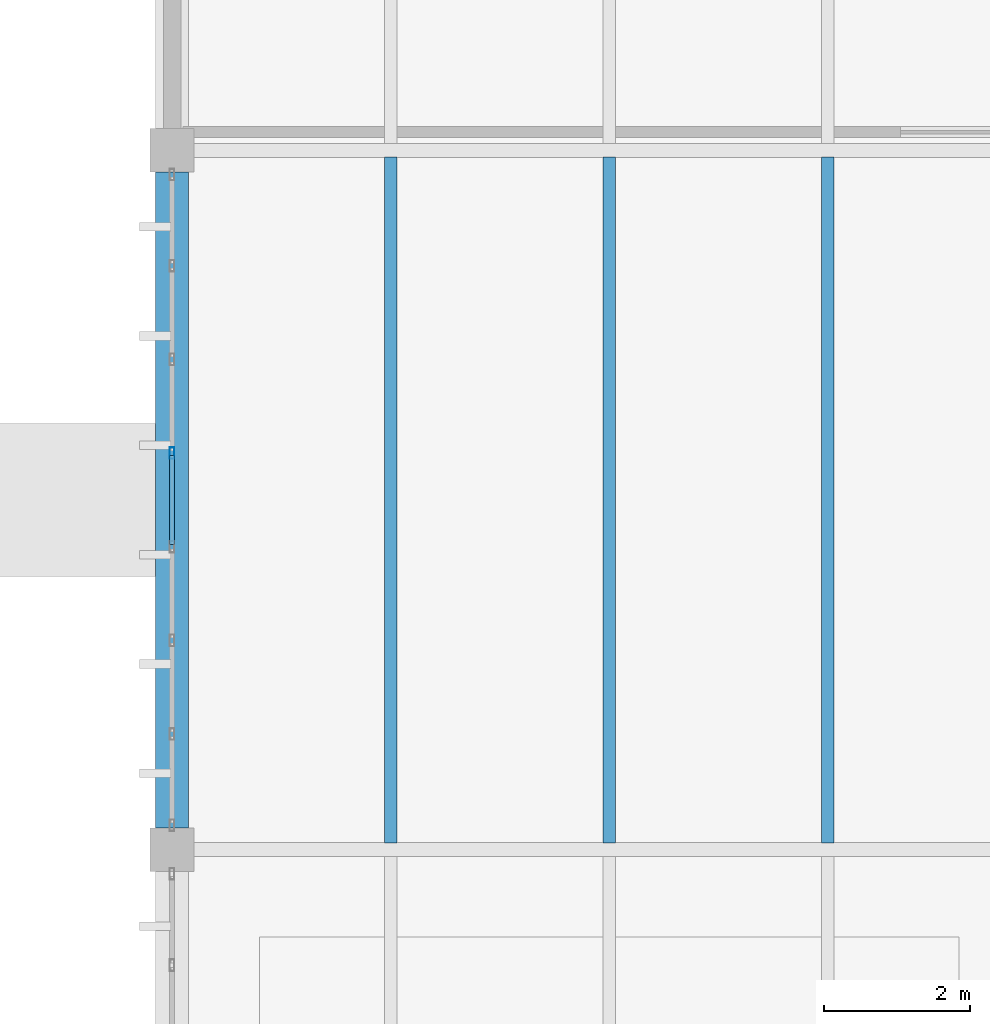
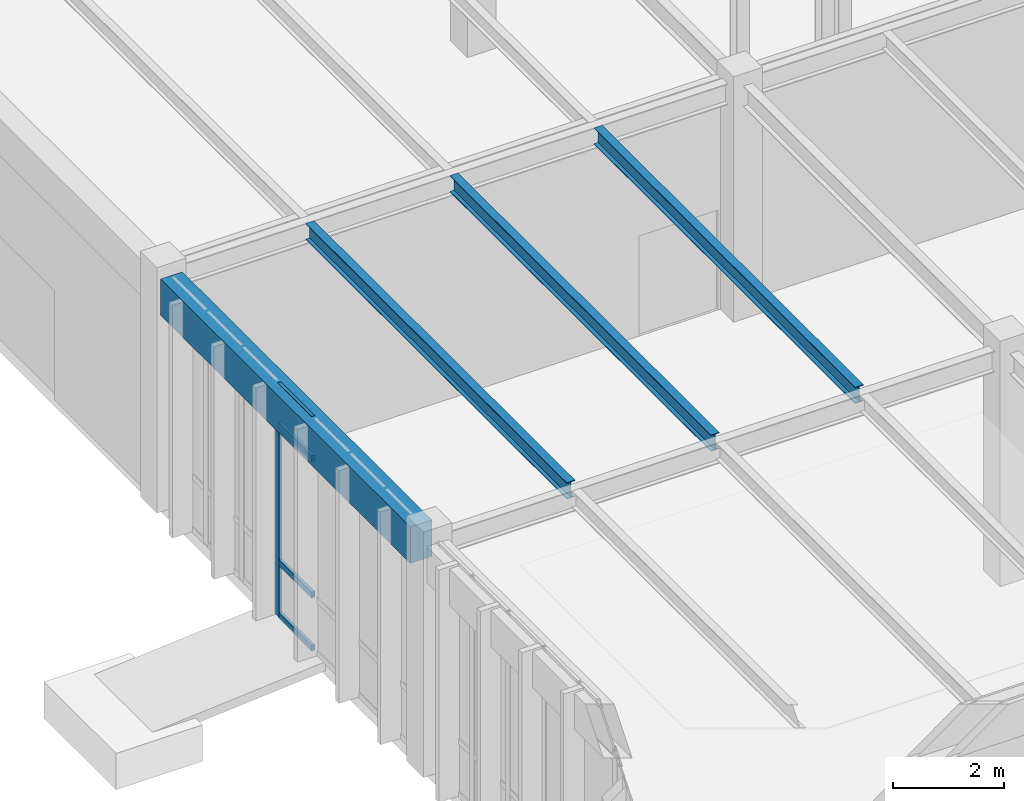
# One storey, part 88 of 188: 5 members, 4 beams, 1 element without a shape of its own.
"""IFC4 building model written with IfcOpenShell, lengths in metres."""

import ifcopenshell
import ifcopenshell.guid

model = None  # the IFC model being written
_history = None  # IfcOwnerHistory: only IFC2X3 demands one
_inside = {}  # id of a spatial element -> (the spatial element, [elements in it])
_under = {}  # id of a project, library or spatial element -> (it, [spatial elements below it])
_declared = {}  # id of a project -> (the project, [libraries it declares])
_typed = {}  # id of a type object -> (the type object, [elements of that type])
_made_of = {}  # id of a material, layer set ... -> (it, [elements and type objects made of it])


def new_model(schema):
    """Start an empty IFC model of exactly this schema.

    Asked for "IFC4X3", IfcOpenShell would pick the latest addendum, in which some entities
    have other attributes; the version numbers below select the first issue.
    IFC2X3 requires an IfcOwnerHistory on every rooted entity: one is made here for all.
    """
    global model, _history
    if schema == "IFC4X3":
        model = ifcopenshell.file(schema_version=(4, 3, 0, 0))
    else:
        model = ifcopenshell.file(schema=schema)
    _inside.clear()
    _under.clear()
    _declared.clear()
    _typed.clear()
    _made_of.clear()
    _history = None
    if model.schema == "IFC2X3":
        org = make("IfcOrganization", Name="unknown")
        user = make(
            "IfcPersonAndOrganization",
            ThePerson=make("IfcPerson", FamilyName="unknown"),
            TheOrganization=org,
        )
        app = make(
            "IfcApplication",
            ApplicationDeveloper=org,
            Version="unknown",
            ApplicationFullName="unknown",
            ApplicationIdentifier="unknown",
        )
        _history = make(
            "IfcOwnerHistory",
            OwningUser=user,
            OwningApplication=app,
            ChangeAction="ADDED",
            CreationDate=0,
        )
    return model


def make(cls, **values):
    """One entity of the class cls with the attributes given. An attribute that is None is left unset."""
    return model.create_entity(
        cls, **{name: value for name, value in values.items() if value is not None}
    )


def rooted(cls, **values):
    """An entity with a GlobalId (a new one), such as an element, a storey or a relation."""
    return make(cls, GlobalId=ifcopenshell.guid.new(), OwnerHistory=_history, **values)


def si_unit(unit_type, name, prefix=None):
    """IfcSIUnit, for example si_unit("LENGTHUNIT", "METRE", prefix="MILLI")."""
    return make("IfcSIUnit", UnitType=unit_type, Prefix=prefix, Name=name)


def assignment(units):
    """IfcUnitAssignment: the units of a project."""
    return None if units is None else make("IfcUnitAssignment", Units=units)


def point(xyz):
    """IfcCartesianPoint."""
    return None if xyz is None else make("IfcCartesianPoint", Coordinates=xyz)


def direction(xyz):
    """IfcDirection."""
    return None if xyz is None else make("IfcDirection", DirectionRatios=xyz)


def frame(location, z_axis=None, x_axis=None):
    """IfcAxis2Placement3D, a coordinate frame: its origin and axes. An axis left out is left unset."""
    return make(
        "IfcAxis2Placement3D",
        Location=point(location),
        Axis=direction(z_axis),
        RefDirection=direction(x_axis),
    )


def frame_2d(location, x_axis=None):
    """IfcAxis2Placement2D, a coordinate frame in the plane: its origin and x axis."""
    return make(
        "IfcAxis2Placement2D", Location=point(location), RefDirection=direction(x_axis)
    )


def origin():
    """The frame at (0, 0, 0) with its axes left unset."""
    return frame((0.0, 0.0, 0.0))


def origin_2d():
    """The frame at (0, 0) in the plane with its x axis left unset."""
    return frame_2d((0.0, 0.0))


def place(relative_to, where):
    """IfcLocalPlacement: puts the frame where relative to a parent placement (None: the world)."""
    return make(
        "IfcLocalPlacement", PlacementRelTo=relative_to, RelativePlacement=where
    )


def context(
    kind, dimensions, precision=None, world=None, true_north=None, identifier=None
):
    """IfcGeometricRepresentationContext, for example the 3D "Model" context."""
    return make(
        "IfcGeometricRepresentationContext",
        ContextIdentifier=identifier,
        ContextType=kind,
        CoordinateSpaceDimension=dimensions,
        Precision=precision,
        WorldCoordinateSystem=world,
        TrueNorth=true_north,
    )


def subcontext(parent, identifier, kind, view, scale=None):
    """IfcGeometricRepresentationSubContext, for example "Body" below "Model"."""
    return make(
        "IfcGeometricRepresentationSubContext",
        ContextIdentifier=identifier,
        ContextType=kind,
        ParentContext=parent,
        TargetScale=scale,
        TargetView=view,
    )


def project(units=None, contexts=None):
    """IfcProject with its units and contexts."""
    return rooted(
        "IfcProject",
        Name="project",
        RepresentationContexts=contexts,
        UnitsInContext=assignment(units),
    )


def spatial(cls, under=None, at=None, **own):
    """A site, building, storey or space (cls), placed at a placement, below another one or the project."""
    s = rooted(cls, ObjectPlacement=at, **own)
    if under is not None:
        _under.setdefault(under.id(), (under, []))[1].append(s)
    return s


def profile(cls, at=None, kind="AREA", **sizes):
    """A parametric profile (cls). Its sizes go by their IFC names, for example OverallWidth=200.0."""
    return make(cls, ProfileType=kind, Position=at, **sizes)


def rectangle(**sizes):
    """IfcRectangleProfileDef."""
    return profile("IfcRectangleProfileDef", **sizes)


def hollow_rectangle(**sizes):
    """IfcRectangleHollowProfileDef."""
    return profile("IfcRectangleHollowProfileDef", **sizes)


def i_section(**sizes):
    """IfcIShapeProfileDef."""
    return profile("IfcIShapeProfileDef", **sizes)


def extrude(swept, where, along, depth):
    """IfcExtrudedAreaSolid: the profile swept, set in the frame where, extruded along a direction by depth."""
    return make(
        "IfcExtrudedAreaSolid",
        SweptArea=swept,
        Position=where,
        ExtrudedDirection=direction(along),
        Depth=depth,
    )


def shape(context_of_items, identifier, shape_type, items):
    """IfcShapeRepresentation: the items that make up one representation, for example the "Body"."""
    return make(
        "IfcShapeRepresentation",
        ContextOfItems=context_of_items,
        RepresentationIdentifier=identifier,
        RepresentationType=shape_type,
        Items=items,
    )


def material(Name=None, Category=None):
    """IfcMaterial."""
    return make("IfcMaterial", Name=Name, Category=Category)


def layer(
    of_material, thickness, ventilated=None, Name=None, Category=None, Priority=None
):
    """IfcMaterialLayer: one layer of a wall or slab, of a material (None: an air gap)."""
    return make(
        "IfcMaterialLayer",
        Material=of_material,
        LayerThickness=thickness,
        IsVentilated=ventilated,
        Name=Name,
        Category=Category,
        Priority=Priority,
    )


def layer_set(layers, Name=None):
    """IfcMaterialLayerSet."""
    return make("IfcMaterialLayerSet", MaterialLayers=layers, LayerSetName=Name)


def material_profile(
    of_material, cross_section, Name=None, Category=None, Priority=None
):
    """IfcMaterialProfile: a cross section and its material."""
    return make(
        "IfcMaterialProfile",
        Name=Name,
        Material=of_material,
        Profile=cross_section,
        Priority=Priority,
        Category=Category,
    )


def profile_set(profiles, Name=None, composite=None):
    """IfcMaterialProfileSet."""
    return make(
        "IfcMaterialProfileSet",
        Name=Name,
        MaterialProfiles=profiles,
        CompositeProfile=composite,
    )


def made_of(thing, what):
    """Note that an element or type object is made of a material, layer set ...; save() writes the relation."""
    if what is not None:
        _made_of.setdefault(what.id(), (what, []))[1].append(thing)
    return thing


def type_object(cls, material=None, **own):
    """A type object (cls), such as IfcWallType, which elements share."""
    return made_of(rooted(cls, **own), material)


def element(
    cls,
    number,
    at=None,
    inside=None,
    cuts=None,
    type_object=None,
    material=None,
    context=None,
    identifier="Body",
    shape_type=None,
    held_by="IfcProductDefinitionShape",
    body=None,
    shapes=None,
    **own,
):
    """One element of the class cls, such as IfcWall. Its Tag is "e" and its number.

    at: its placement. inside: the storey or other place that contains it. cuts: it is an
    opening in that element (IfcRelVoidsElement). A single representation is given by context,
    identifier, shape_type and body (its items); several are given by shapes. held_by: the class
    of the entity that holds the representations. save() writes the other relations.
    """
    e = rooted(cls, Tag="e%d" % number, ObjectPlacement=at, **own)
    if body is not None:
        shapes = [shape(context, identifier, shape_type, body)]
    if shapes is not None:
        e.Representation = make(held_by, Representations=shapes)
    if inside is not None:
        _inside.setdefault(inside.id(), (inside, []))[1].append(e)
    if cuts is not None:
        rooted(
            "IfcRelVoidsElement", RelatingBuildingElement=cuts, RelatedOpeningElement=e
        )
    if type_object is not None:
        _typed.setdefault(type_object.id(), (type_object, []))[1].append(e)
    return made_of(e, material)


def aggregate(whole, parts):
    """IfcRelAggregates: a whole, such as a stair, and the parts it consists of."""
    return rooted("IfcRelAggregates", RelatingObject=whole, RelatedObjects=parts)


def save(model, path):
    """Write the relations noted so far, then the file.

    IfcRelAggregates (storeys below a building ...), IfcRelContainedInSpatialStructure (elements
    in a storey), IfcRelDefinesByType, IfcRelAssociatesMaterial and IfcRelDeclares: one each for
    every whole, place, type object, material and project.
    """
    for whole, parts in _under.values():
        aggregate(whole, parts)
    for where, things in _inside.values():
        rooted(
            "IfcRelContainedInSpatialStructure",
            RelatedElements=things,
            RelatingStructure=where,
        )
    for kind, things in _typed.values():
        rooted("IfcRelDefinesByType", RelatedObjects=things, RelatingType=kind)
    for what, things in _made_of.values():
        rooted("IfcRelAssociatesMaterial", RelatedObjects=things, RelatingMaterial=what)
    for by, libraries in _declared.values():
        rooted("IfcRelDeclares", RelatingContext=by, RelatedDefinitions=libraries)
    model.write(path)


model = new_model("IFC4")

# Units and contexts
model_context = context("Model", 3, precision=1e-05, world=origin(), true_north=direction((0.0, 1.0)))
body_context = subcontext(model_context, "Body", "Model", "MODEL_VIEW")
ifc_project = project(units=[si_unit("LENGTHUNIT", "METRE"), si_unit("AREAUNIT", "SQUARE_METRE"), si_unit("VOLUMEUNIT", "CUBIC_METRE"), si_unit("PLANEANGLEUNIT", "RADIAN"), si_unit("MASSUNIT", "GRAM", prefix="KILO")], contexts=[model_context])

# Site, building, storey
site_placement = place(None, origin())
site = spatial("IfcSite", under=ifc_project, at=site_placement, CompositionType="ELEMENT")
building_placement = place(site_placement, origin())
building = spatial("IfcBuilding", under=site, at=building_placement, Name="Pandanus Reach Market Hall", CompositionType="ELEMENT")
storey_placement = place(building_placement, origin())
storey = spatial("IfcBuildingStorey", under=building, at=storey_placement, Name="L00", CompositionType="ELEMENT", Elevation=0.0)

# Beam
ifc_material_1 = material(Name="Concrete N40 (40 MPa)", Category="concrete")
ifc_material_profile_1 = material_profile(ifc_material_1, rectangle(XDim=0.449951171875, YDim=0.800048828125, at=origin_2d()), Name="RC450x800", Category="LoadBearing")
ifc_profile_set_1 = profile_set([ifc_material_profile_1], Name="Concrete N40 (40 MPa)")
beam_type_1 = type_object("IfcBeamType", Name="BM-RC450-E", PredefinedType="SPANDREL", material=ifc_profile_set_1)
beam_placement = place(storey_placement, frame((144.0, 9.89794921875, 4.72509765625), z_axis=(0.0, 1.0, 0.0), x_axis=(-1.0, 0.0, 0.0)))
element("IfcBeam", 1, at=beam_placement, inside=storey, type_object=beam_type_1, Name="Framing beam BM-RC450-E L00.189", PredefinedType="SPANDREL", context=body_context, shape_type="SweptSolid", body=[
    extrude(rectangle(XDim=0.449951171875, YDim=0.800048828125, at=origin_2d()), origin(), (0.0, 0.0, 1.0), 9.004150390625),
])

# Curtain wall, members
ifc_material_2 = material(Name="Bronze anodised aluminium and low-E glass", Category="aluminium")
ifc_layer = layer(ifc_material_2, 0.159912109375, Name="CW-26")
ifc_layer_set = layer_set([ifc_layer], Name="Bronze anodised aluminium and low-E glass")
curtain_wall_type = type_object("IfcCurtainWallType", Name="CW-26", PredefinedType="NOTDEFINED", material=ifc_layer_set)
curtain_wall_placement = place(storey_placement, origin())
curtain_wall = element("IfcCurtainWall", 2, at=curtain_wall_placement, inside=storey, type_object=curtain_wall_type, Name="Glazed curtain wall CW-26 CW-0076", PredefinedType="NOTDEFINED")
ifc_material_3 = material(Name="Bronze anodised aluminium", Category="aluminium")
ifc_material_profile_2 = material_profile(ifc_material_3, hollow_rectangle(XDim=0.06494140625, YDim=0.159912109375, WallThickness=0.00390625, at=origin_2d()), Name="ALU65x160", Category="LoadBearing")
ifc_profile_set_2 = profile_set([ifc_material_profile_2], Name="Bronze anodised aluminium")
member_type_1 = type_object("IfcMemberType", Name="CW-M1", PredefinedType="MULLION", material=ifc_profile_set_2)
member_1_placement = place(storey_placement, frame((144.0, 15.04296875, 0.0), z_axis=(0.0, 0.0, 1.0), x_axis=(-1.0, 0.0, 0.0)))
member_1 = element("IfcMember", 3, at=member_1_placement, type_object=member_type_1, Name="CW-26 mullion 5", PredefinedType="MULLION", context=body_context, shape_type="SweptSolid", body=[
    extrude(hollow_rectangle(XDim=0.06494140625, YDim=0.159912109375, WallThickness=0.00390625, at=origin_2d()), origin(), (0.0, 0.0, 1.0), 5.10009765625),
])
ifc_material_profile_3 = material_profile(ifc_material_3, hollow_rectangle(XDim=0.06494140625, YDim=0.1298828125, WallThickness=0.00390625, at=origin_2d()), Name="ALU65x130", Category="LoadBearing")
ifc_profile_set_3 = profile_set([ifc_material_profile_3], Name="Bronze anodised aluminium")
member_type_2 = type_object("IfcMemberType", Name="CW-T1", PredefinedType="USERDEFINED", material=ifc_profile_set_3)
member_2_placement = place(storey_placement, frame((144.0, 13.78955078125, 0.032470703125), z_axis=(0.0, 1.0, 0.0), x_axis=(-1.0, 0.0, 0.0)))
member_2 = element("IfcMember", 4, at=member_2_placement, type_object=member_type_2, Name="CW-26 transom 4.1", ObjectType="TRANSOM", PredefinedType="USERDEFINED", context=body_context, shape_type="SweptSolid", body=[
    extrude(hollow_rectangle(XDim=0.06494140625, YDim=0.1298828125, WallThickness=0.00390625, at=origin_2d()), origin(), (0.0, 0.0, 1.0), 1.220703125),
])
member_3_placement = place(storey_placement, frame((144.0, 13.78955078125, 1.199951171875), z_axis=(0.0, 1.0, 0.0), x_axis=(-1.0, 0.0, 0.0)))
member_3 = element("IfcMember", 5, at=member_3_placement, type_object=member_type_2, Name="CW-26 transom 4.2", ObjectType="TRANSOM", PredefinedType="USERDEFINED", context=body_context, shape_type="SweptSolid", body=[
    extrude(hollow_rectangle(XDim=0.06494140625, YDim=0.1298828125, WallThickness=0.00390625, at=origin_2d()), origin(), (0.0, 0.0, 1.0), 1.220703125),
])
member_4_placement = place(storey_placement, frame((144.0, 13.78955078125, 4.199951171875), z_axis=(0.0, 1.0, 0.0), x_axis=(-1.0, 0.0, 0.0)))
member_4 = element("IfcMember", 6, at=member_4_placement, type_object=member_type_2, Name="CW-26 transom 4.3", ObjectType="TRANSOM", PredefinedType="USERDEFINED", context=body_context, shape_type="SweptSolid", body=[
    extrude(hollow_rectangle(XDim=0.06494140625, YDim=0.1298828125, WallThickness=0.00390625, at=origin_2d()), origin(), (0.0, 0.0, 1.0), 1.220703125),
])
member_5_placement = place(storey_placement, frame((144.0, 13.78955078125, 5.0673828125), z_axis=(0.0, 1.0, 0.0), x_axis=(-1.0, 0.0, 0.0)))
member_5 = element("IfcMember", 7, at=member_5_placement, type_object=member_type_2, Name="CW-26 transom 4.4", ObjectType="TRANSOM", PredefinedType="USERDEFINED", context=body_context, shape_type="SweptSolid", body=[
    extrude(hollow_rectangle(XDim=0.06494140625, YDim=0.1298828125, WallThickness=0.00390625, at=origin_2d()), origin(), (0.0, 0.0, 1.0), 1.220703125),
])
aggregate(curtain_wall, [member_1, member_2, member_3, member_4, member_5])

# Beams
ifc_material_4 = material(Name="Steel Grade 350 (350 MPa)", Category="steel")
ifc_material_profile_4 = material_profile(ifc_material_4, i_section(OverallWidth=0.172119140625, OverallDepth=0.35888671875, WebThickness=0.008056640625, FlangeThickness=0.012939453125, at=origin_2d()), Name="360UB56.7", Category="LoadBearing")
ifc_profile_set_4 = profile_set([ifc_material_profile_4], Name="Steel Grade 350 (350 MPa)")
beam_type_2 = type_object("IfcBeamType", Name="JS-UB360H-I", PredefinedType="JOIST", material=ifc_profile_set_4)
for number, where, z_axis, x_axis, name in (
    (8, (147.0, 9.693603515625, 4.945068359375), (0.0, 1.0, 0.0), (-1.0, 0.0, 0.0), "Secondary joist JS-UB360H-I L00.231"),
    (9, (150.0, 9.693603515625, 4.945068359375), (0.0, 1.0, 0.0), (-1.0, 0.0, 0.0), "Secondary joist JS-UB360H-I L00.232"),
    (10, (153.0, 9.693603515625, 4.945068359375), (0.0, 1.0, 0.0), (-1.0, 0.0, 0.0), "Secondary joist JS-UB360H-I L00.233"),
):
    element("IfcBeam", number, at=place(storey_placement, frame(where, z_axis=z_axis, x_axis=x_axis)), inside=storey, type_object=beam_type_2, Name=name, PredefinedType="JOIST", context=body_context, shape_type="SweptSolid", body=[
        extrude(i_section(OverallWidth=0.172119140625, OverallDepth=0.35888671875, WebThickness=0.008056640625, FlangeThickness=0.012939453125, at=origin_2d()), origin(), (0.0, 0.0, 1.0), 9.412841796875),
    ])

save(model, "model.ifc")
